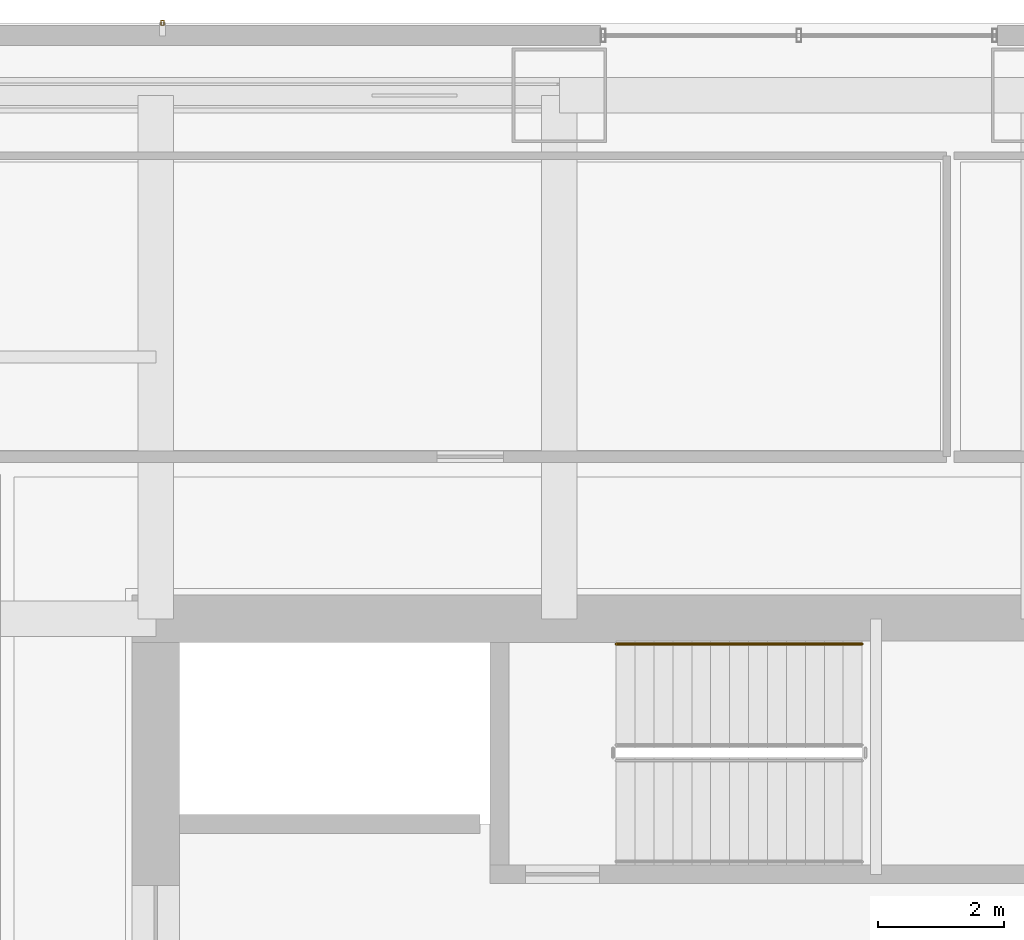
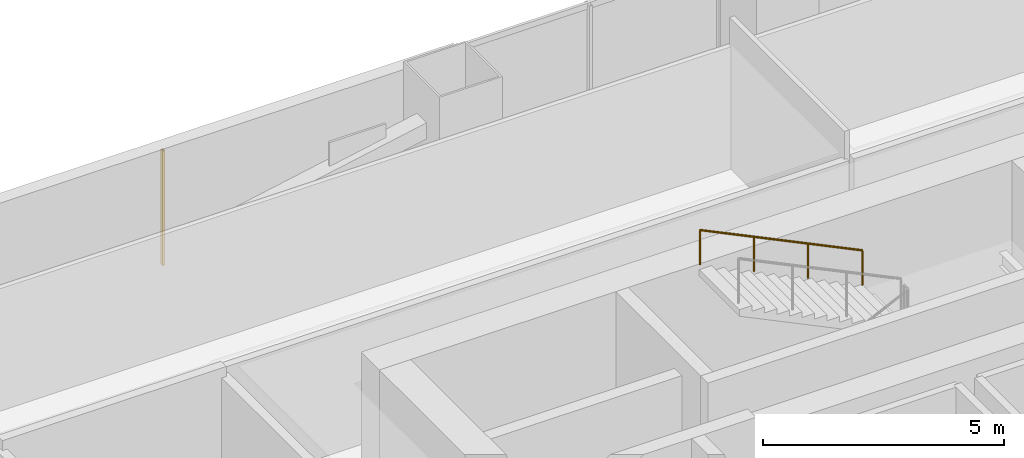
# One storey, part 25 of 27: 1 railing, 1 shading device.
"""IFC4 building model written with IfcOpenShell, lengths in metres."""

from ifc_helpers import new_model, si_unit, direction, frame, origin, origin_2d, place, context, subcontext, project, spatial, hollow_rectangle, circle, extrude, material, material_profile, profile_set, type_object, element, save


model = new_model("IFC4")

# Units and contexts
model_context = context("Model", 3, precision=1e-05, world=origin(), true_north=direction((0.0, 1.0)))
body_context = subcontext(model_context, "Body", "Model", "MODEL_VIEW")
ifc_project = project(units=[si_unit("LENGTHUNIT", "METRE"), si_unit("AREAUNIT", "SQUARE_METRE"), si_unit("VOLUMEUNIT", "CUBIC_METRE"), si_unit("PLANEANGLEUNIT", "RADIAN"), si_unit("MASSUNIT", "GRAM", prefix="KILO")], contexts=[model_context])

# Site, building, storey
site_placement = place(None, origin())
site = spatial("IfcSite", under=ifc_project, at=site_placement, CompositionType="ELEMENT")
building_placement = place(site_placement, origin())
building = spatial("IfcBuilding", under=site, at=building_placement, Name="Punatoya Terracotta Tower", CompositionType="ELEMENT")
storey_placement = place(building_placement, frame((0.0, 0.0, 60.60009765625)))
storey = spatial("IfcBuildingStorey", under=building, at=storey_placement, Name="L13", CompositionType="ELEMENT", Elevation=60.60009765625)

# Railing
ifc_material_1 = material(Name="Steel S355", Category="steel")
railing_type = type_object("IfcRailingType", Name="RLG-HND-900", PredefinedType="HANDRAIL", material=ifc_material_1)
railing_placement = place(storey_placement, frame((1.0, 8.800048828125, 2.16943359375)))
element("IfcRailing", 1, at=railing_placement, inside=storey, type_object=railing_type, Name="L13 ST-3 stair handrail 2", PredefinedType="HANDRAIL", context=body_context, shape_type="SweptSolid", body=[
    extrude(circle(Radius=0.02392578125, at=origin_2d()), frame((0.0, 0.0, 0.8759765625), z_axis=(-0.900763166376, 0.0, 0.434310623978), x_axis=(0.0, -1.0, 0.0)), (0.0, 0.0, 1.0), 4.32958984375),
    extrude(circle(Radius=0.02099609375, at=origin_2d()), origin(), (0.0, 0.0, 1.0), 0.851806640625),
    extrude(circle(Radius=0.02099609375, at=origin_2d()), frame((-1.300048828125, 0.0, 0.626708984375)), (0.0, 0.0, 1.0), 0.851806640625),
    extrude(circle(Radius=0.02099609375, at=origin_2d()), frame((-2.599853515625, 0.0, 1.253662109375)), (0.0, 0.0, 1.0), 0.851806640625),
    extrude(circle(Radius=0.02099609375, at=origin_2d()), frame((-3.89990234375, 0.0, 1.88037109375)), (0.0, 0.0, 1.0), 0.851806640625),
])

# Shading device
ifc_material_2 = material(Name="Architectural Fired Terracotta", Category="masonry")
ifc_material_profile = material_profile(ifc_material_2, hollow_rectangle(XDim=0.06005859375, YDim=0.090087890625, WallThickness=0.013916015625, at=origin_2d()))
ifc_profile_set = profile_set([ifc_material_profile], Name="Architectural Fired Terracotta")
shading_device_type = type_object("IfcShadingDeviceType", Name="SHD-JALI-90", PredefinedType="JALOUSIE", material=ifc_profile_set)
shading_device_placement = place(storey_placement, frame((-10.093505859375, 18.64990234375, 0.599853515625), z_axis=(0.0, 0.0, 1.0), x_axis=(1.0, 0.0, 0.0)))
element("IfcShadingDevice", 2, at=shading_device_placement, inside=storey, type_object=shading_device_type, Name="L13 Braced Bay Terracotta Jali Fin N2", PredefinedType="JALOUSIE", context=body_context, shape_type="SweptSolid", body=[
    extrude(hollow_rectangle(XDim=0.06005859375, YDim=0.090087890625, WallThickness=0.013916015625, at=origin_2d()), origin(), (0.0, 0.0, 1.0), 2.91015625),
])

save(model, "model.ifc")
